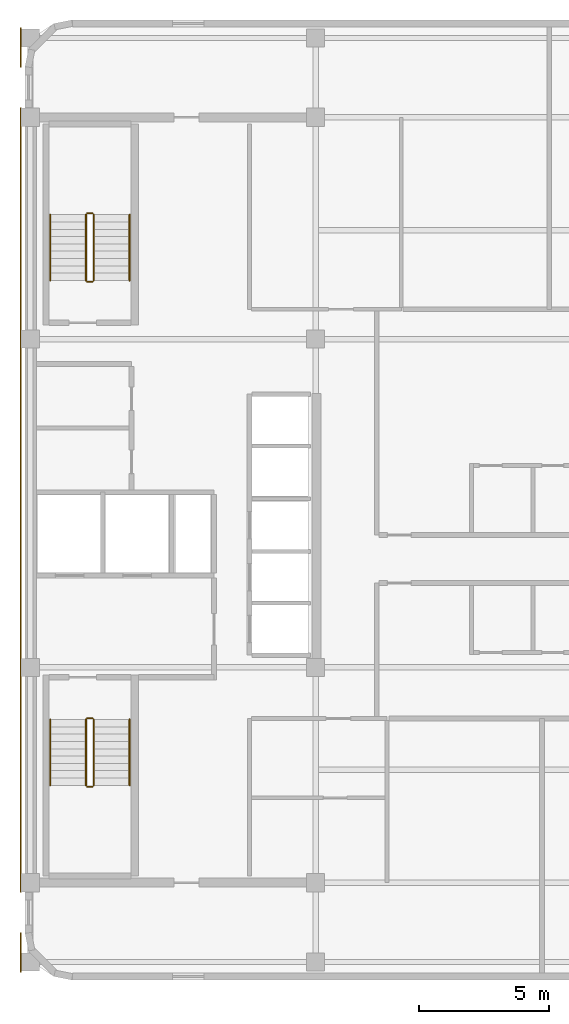
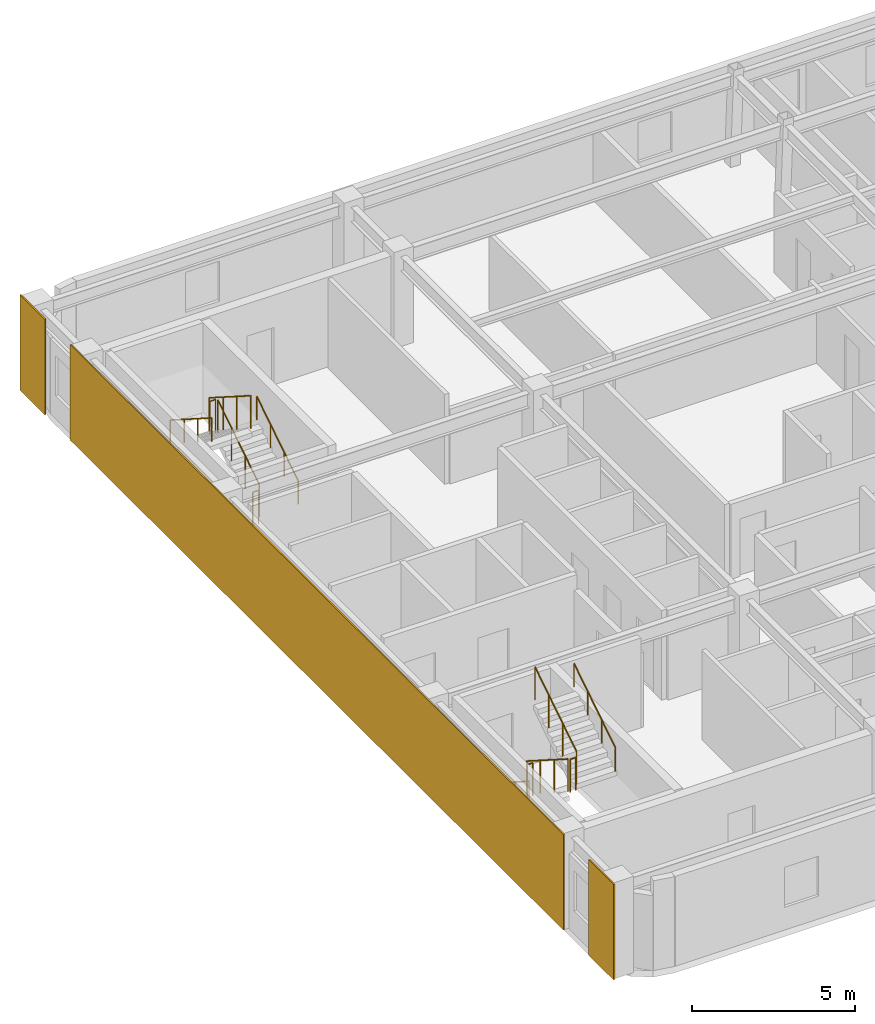
# One storey, part 6 of 6: 12 railings, 3 coverings.
"""IFC4 building model written with IfcOpenShell, lengths in metres."""

from ifc_helpers import new_model, si_unit, direction, frame, origin, origin_2d, place, context, subcontext, project, spatial, rectangle, circle, extrude, material, layer, layer_set, type_object, element, save


model = new_model("IFC4")

# Units and contexts
model_context = context("Model", 3, precision=1e-05, world=origin(), true_north=direction((0.0, 1.0)))
body_context = subcontext(model_context, "Body", "Model", "MODEL_VIEW")
ifc_project = project(units=[si_unit("LENGTHUNIT", "METRE"), si_unit("AREAUNIT", "SQUARE_METRE"), si_unit("VOLUMEUNIT", "CUBIC_METRE"), si_unit("PLANEANGLEUNIT", "RADIAN"), si_unit("MASSUNIT", "GRAM", prefix="KILO")], contexts=[model_context])

# Site, building, storey
site_placement = place(None, origin())
site = spatial("IfcSite", under=ifc_project, at=site_placement, CompositionType="ELEMENT")
building_placement = place(site_placement, origin())
building = spatial("IfcBuilding", under=site, at=building_placement, Name="Ochreholt Gables", CompositionType="ELEMENT")
storey_placement = place(building_placement, frame((0.0, 0.0, 253.199951171875)))
storey = spatial("IfcBuildingStorey", under=building, at=storey_placement, Name="L66", CompositionType="ELEMENT", Elevation=253.199951171875)

# Coverings
ifc_material_1 = material(Name="Glazed Ochre Terracotta Rainscreen Cladding", Category="masonry")
ifc_layer = layer(ifc_material_1, 0.044921875, Name="Glazed Ochre Terracotta Rainscreen Cladding")
ifc_layer_set = layer_set([ifc_layer], Name="Glazed Ochre Terracotta Rainscreen Cladding")
covering_type = type_object("IfcCoveringType", Name="COV-CLAD-TC", PredefinedType="CLADDING", material=ifc_layer_set)
covering_placement = place(storey_placement, frame((23.827880859375, 24.0, 0.010009765625), z_axis=(0.0, 0.0, 1.0), x_axis=(0.0, 1.0, 0.0)))
element("IfcCovering", 1, at=covering_placement, inside=storey, type_object=covering_type, Name="L66 West Core Terracotta Rainscreen Cladding", PredefinedType="CLADDING", context=body_context, shape_type="SweptSolid", body=[
    extrude(rectangle(XDim=30.239990234375, YDim=0.044921875, at=origin_2d()), origin(), (0.0, 0.0, 1.0), 3.580078125),
])
for number, where, z_axis, x_axis, name in (
    (2, (23.827880859375, 6.56005859375, 0.010009765625), (0.0, 0.0, 1.0), (0.0, 1.0, 0.0), "L66 South-West Pier Terracotta Cladding"),
    (3, (23.827880859375, 41.43994140625, 0.010009765625), (0.0, 0.0, 1.0), (0.0, 1.0, 0.0), "L66 North-West Pier Terracotta Cladding"),
):
    element("IfcCovering", number, at=place(storey_placement, frame(where, z_axis=z_axis, x_axis=x_axis)), inside=storey, type_object=covering_type, Name=name, PredefinedType="CLADDING", context=body_context, shape_type="SweptSolid", body=[
        extrude(rectangle(XDim=1.52001953125, YDim=0.044921875, at=origin_2d()), origin(), (0.0, 0.0, 1.0), 3.580078125),
    ])

# Railings
ifc_material_2 = material(Name="Painted Steel Stair Guardrail", Category="steel")
railing_type_1 = type_object("IfcRailingType", Name="RL-ST-GUARD", PredefinedType="GUARDRAIL", material=ifc_material_2)
railing_1_placement = place(storey_placement, frame((26.35009765625, 15.5400390625, 0.179931640625)))
element("IfcRailing", 4, at=railing_1_placement, inside=storey, type_object=railing_type_1, Name="L66 ST-1 stair guard 1", PredefinedType="GUARDRAIL", context=body_context, shape_type="SweptSolid", body=[
    extrude(circle(Radius=0.02392578125, at=origin_2d()), frame((0.0, 0.0, 1.22607421875), z_axis=(0.0, -0.842912820907, 0.538050161556), x_axis=(1.0, 0.0, 0.0)), (0.0, 0.0, 1.0), 3.010986328125),
    extrude(circle(Radius=0.02099609375, at=origin_2d()), origin(), (0.0, 0.0, 1.0), 1.201904296875),
    extrude(circle(Radius=0.02099609375, at=origin_2d()), frame((0.0, -0.845947265625, 0.5400390625)), (0.0, 0.0, 1.0), 1.201904296875),
    extrude(circle(Radius=0.02099609375, at=origin_2d()), frame((0.0, -1.692138671875, 1.080078125)), (0.0, 0.0, 1.0), 1.201904296875),
    extrude(circle(Radius=0.02099609375, at=origin_2d()), frame((0.0, -2.5380859375, 1.6201171875)), (0.0, 0.0, 1.0), 1.201904296875),
])
railing_2_placement = place(storey_placement, frame((26.39990234375, 12.951904296875, 1.800048828125)))
element("IfcRailing", 5, at=railing_2_placement, inside=storey, type_object=railing_type_1, Name="L66 ST-1 stair guard 2", PredefinedType="GUARDRAIL", context=body_context, shape_type="SweptSolid", body=[
    extrude(circle(Radius=0.02392578125, at=origin_2d()), frame((0.0, 0.0, 1.22607421875), z_axis=(1.0, 0.0, 0.0), x_axis=(0.0, 1.0, 0.0)), (0.0, 0.0, 1.0), 0.2001953125),
    extrude(circle(Radius=0.02099609375, at=origin_2d()), origin(), (0.0, 0.0, 1.0), 1.201904296875),
    extrude(circle(Radius=0.02099609375, at=origin_2d()), frame((0.2001953125, 0.0, 0.0)), (0.0, 0.0, 1.0), 1.201904296875),
])
railing_3_placement = place(storey_placement, frame((26.64990234375, 13.001953125, 1.97998046875)))
element("IfcRailing", 6, at=railing_3_placement, inside=storey, type_object=railing_type_1, Name="L66 ST-1 stair guard 3", PredefinedType="GUARDRAIL", context=body_context, shape_type="SweptSolid", body=[
    extrude(circle(Radius=0.02392578125, at=origin_2d()), frame((0.0, 0.0, 1.22607421875), z_axis=(0.0, 0.842912820907, 0.538050161556), x_axis=(-1.0, 0.0, 0.0)), (0.0, 0.0, 1.0), 3.010986328125),
    extrude(circle(Radius=0.02099609375, at=origin_2d()), origin(), (0.0, 0.0, 1.0), 1.201904296875),
    extrude(circle(Radius=0.02099609375, at=origin_2d()), frame((0.0, 0.845947265625, 0.5400390625)), (0.0, 0.0, 1.0), 1.201904296875),
    extrude(circle(Radius=0.02099609375, at=origin_2d()), frame((0.0, 1.692138671875, 1.080078125)), (0.0, 0.0, 1.0), 1.201904296875),
    extrude(circle(Radius=0.02099609375, at=origin_2d()), frame((0.0, 2.5380859375, 1.6201171875)), (0.0, 0.0, 1.0), 1.201904296875),
])
railing_4_placement = place(storey_placement, frame((26.39990234375, 15.590087890625, 0.0)))
element("IfcRailing", 7, at=railing_4_placement, inside=storey, type_object=railing_type_1, Name="L66 ST-1 stair guard 4", PredefinedType="GUARDRAIL", context=body_context, shape_type="SweptSolid", body=[
    extrude(circle(Radius=0.02392578125, at=origin_2d()), frame((0.0, 0.0, 1.22607421875), z_axis=(1.0, 0.0, 0.0), x_axis=(0.0, 1.0, 0.0)), (0.0, 0.0, 1.0), 0.2001953125),
    extrude(circle(Radius=0.02099609375, at=origin_2d()), origin(), (0.0, 0.0, 1.0), 1.201904296875),
    extrude(circle(Radius=0.02099609375, at=origin_2d()), frame((0.2001953125, 0.0, 0.0)), (0.0, 0.0, 1.0), 1.201904296875),
])
railing_5_placement = place(storey_placement, frame((26.64990234375, 32.4599609375, 0.179931640625)))
element("IfcRailing", 8, at=railing_5_placement, inside=storey, type_object=railing_type_1, Name="L66 ST-2 stair guard 1", PredefinedType="GUARDRAIL", context=body_context, shape_type="SweptSolid", body=[
    extrude(circle(Radius=0.02392578125, at=origin_2d()), frame((0.0, 0.0, 1.22607421875), z_axis=(0.0, 0.842912820907, 0.538050161556), x_axis=(-1.0, 0.0, 0.0)), (0.0, 0.0, 1.0), 3.010986328125),
    extrude(circle(Radius=0.02099609375, at=origin_2d()), origin(), (0.0, 0.0, 1.0), 1.201904296875),
    extrude(circle(Radius=0.02099609375, at=origin_2d()), frame((0.0, 0.845947265625, 0.5400390625)), (0.0, 0.0, 1.0), 1.201904296875),
    extrude(circle(Radius=0.02099609375, at=origin_2d()), frame((0.0, 1.692138671875, 1.080078125)), (0.0, 0.0, 1.0), 1.201904296875),
    extrude(circle(Radius=0.02099609375, at=origin_2d()), frame((0.0, 2.5380859375, 1.6201171875)), (0.0, 0.0, 1.0), 1.201904296875),
])
railing_6_placement = place(storey_placement, frame((26.60009765625, 35.048095703125, 1.800048828125)))
element("IfcRailing", 9, at=railing_6_placement, inside=storey, type_object=railing_type_1, Name="L66 ST-2 stair guard 2", PredefinedType="GUARDRAIL", context=body_context, shape_type="SweptSolid", body=[
    extrude(circle(Radius=0.02392578125, at=origin_2d()), frame((0.0, 0.0, 1.22607421875), z_axis=(-1.0, 0.0, 0.0), x_axis=(0.0, -1.0, 0.0)), (0.0, 0.0, 1.0), 0.2001953125),
    extrude(circle(Radius=0.02099609375, at=origin_2d()), origin(), (0.0, 0.0, 1.0), 1.201904296875),
    extrude(circle(Radius=0.02099609375, at=origin_2d()), frame((-0.2001953125, 0.0, 0.0)), (0.0, 0.0, 1.0), 1.201904296875),
])
railing_7_placement = place(storey_placement, frame((26.35009765625, 34.998046875, 1.97998046875)))
element("IfcRailing", 10, at=railing_7_placement, inside=storey, type_object=railing_type_1, Name="L66 ST-2 stair guard 3", PredefinedType="GUARDRAIL", context=body_context, shape_type="SweptSolid", body=[
    extrude(circle(Radius=0.02392578125, at=origin_2d()), frame((0.0, 0.0, 1.22607421875), z_axis=(0.0, -0.842912820907, 0.538050161556), x_axis=(1.0, 0.0, 0.0)), (0.0, 0.0, 1.0), 3.010986328125),
    extrude(circle(Radius=0.02099609375, at=origin_2d()), origin(), (0.0, 0.0, 1.0), 1.201904296875),
    extrude(circle(Radius=0.02099609375, at=origin_2d()), frame((0.0, -0.845947265625, 0.5400390625)), (0.0, 0.0, 1.0), 1.201904296875),
    extrude(circle(Radius=0.02099609375, at=origin_2d()), frame((0.0, -1.692138671875, 1.080078125)), (0.0, 0.0, 1.0), 1.201904296875),
    extrude(circle(Radius=0.02099609375, at=origin_2d()), frame((0.0, -2.5380859375, 1.6201171875)), (0.0, 0.0, 1.0), 1.201904296875),
])
railing_8_placement = place(storey_placement, frame((26.60009765625, 32.409912109375, 0.0)))
element("IfcRailing", 11, at=railing_8_placement, inside=storey, type_object=railing_type_1, Name="L66 ST-2 stair guard 4", PredefinedType="GUARDRAIL", context=body_context, shape_type="SweptSolid", body=[
    extrude(circle(Radius=0.02392578125, at=origin_2d()), frame((0.0, 0.0, 1.22607421875), z_axis=(-1.0, 0.0, 0.0), x_axis=(0.0, -1.0, 0.0)), (0.0, 0.0, 1.0), 0.2001953125),
    extrude(circle(Radius=0.02099609375, at=origin_2d()), origin(), (0.0, 0.0, 1.0), 1.201904296875),
    extrude(circle(Radius=0.02099609375, at=origin_2d()), frame((-0.2001953125, 0.0, 0.0)), (0.0, 0.0, 1.0), 1.201904296875),
])
ifc_material_3 = material(Name="Brushed Stainless Steel Wall Handrail", Category="steel")
railing_type_2 = type_object("IfcRailingType", Name="RL-ST-HAND", PredefinedType="HANDRAIL", material=ifc_material_3)
railing_9_placement = place(storey_placement, frame((24.969970703125, 15.5400390625, 0.179931640625)))
element("IfcRailing", 12, at=railing_9_placement, inside=storey, type_object=railing_type_2, Name="L66 ST-1 stair handrail 1", PredefinedType="HANDRAIL", context=body_context, shape_type="SweptSolid", body=[
    extrude(circle(Radius=0.02392578125, at=origin_2d()), frame((0.0, 0.0, 0.8759765625), z_axis=(0.0, -0.842912820907, 0.538050161556), x_axis=(1.0, 0.0, 0.0)), (0.0, 0.0, 1.0), 3.010986328125),
    extrude(circle(Radius=0.02099609375, at=origin_2d()), origin(), (0.0, 0.0, 1.0), 0.851806640625),
    extrude(circle(Radius=0.02099609375, at=origin_2d()), frame((0.0, -0.845947265625, 0.5400390625)), (0.0, 0.0, 1.0), 0.851806640625),
    extrude(circle(Radius=0.02099609375, at=origin_2d()), frame((0.0, -1.692138671875, 1.080078125)), (0.0, 0.0, 1.0), 0.851806640625),
    extrude(circle(Radius=0.02099609375, at=origin_2d()), frame((0.0, -2.5380859375, 1.6201171875)), (0.0, 0.0, 1.0), 0.851806640625),
])
for number, where, name in (
    (13, (28.030029296875, 13.001953125, 1.97998046875), "L66 ST-1 stair handrail 2"),
    (14, (28.030029296875, 32.4599609375, 0.179931640625), "L66 ST-2 stair handrail 1"),
):
    element("IfcRailing", number, at=place(storey_placement, frame(where)), inside=storey, type_object=railing_type_2, Name=name, PredefinedType="HANDRAIL", context=body_context, shape_type="SweptSolid", body=[
        extrude(circle(Radius=0.02392578125, at=origin_2d()), frame((0.0, 0.0, 0.8759765625), z_axis=(0.0, 0.842912820907, 0.538050161556), x_axis=(-1.0, 0.0, 0.0)), (0.0, 0.0, 1.0), 3.010986328125),
        extrude(circle(Radius=0.02099609375, at=origin_2d()), origin(), (0.0, 0.0, 1.0), 0.851806640625),
        extrude(circle(Radius=0.02099609375, at=origin_2d()), frame((0.0, 0.845947265625, 0.5400390625)), (0.0, 0.0, 1.0), 0.851806640625),
        extrude(circle(Radius=0.02099609375, at=origin_2d()), frame((0.0, 1.692138671875, 1.080078125)), (0.0, 0.0, 1.0), 0.851806640625),
        extrude(circle(Radius=0.02099609375, at=origin_2d()), frame((0.0, 2.5380859375, 1.6201171875)), (0.0, 0.0, 1.0), 0.851806640625),
    ])
railing_10_placement = place(storey_placement, frame((24.969970703125, 34.998046875, 1.97998046875)))
element("IfcRailing", 15, at=railing_10_placement, inside=storey, type_object=railing_type_2, Name="L66 ST-2 stair handrail 2", PredefinedType="HANDRAIL", context=body_context, shape_type="SweptSolid", body=[
    extrude(circle(Radius=0.02392578125, at=origin_2d()), frame((0.0, 0.0, 0.8759765625), z_axis=(0.0, -0.842912820907, 0.538050161556), x_axis=(1.0, 0.0, 0.0)), (0.0, 0.0, 1.0), 3.010986328125),
    extrude(circle(Radius=0.02099609375, at=origin_2d()), origin(), (0.0, 0.0, 1.0), 0.851806640625),
    extrude(circle(Radius=0.02099609375, at=origin_2d()), frame((0.0, -0.845947265625, 0.5400390625)), (0.0, 0.0, 1.0), 0.851806640625),
    extrude(circle(Radius=0.02099609375, at=origin_2d()), frame((0.0, -1.692138671875, 1.080078125)), (0.0, 0.0, 1.0), 0.851806640625),
    extrude(circle(Radius=0.02099609375, at=origin_2d()), frame((0.0, -2.5380859375, 1.6201171875)), (0.0, 0.0, 1.0), 0.851806640625),
])

save(model, "model.ifc")
